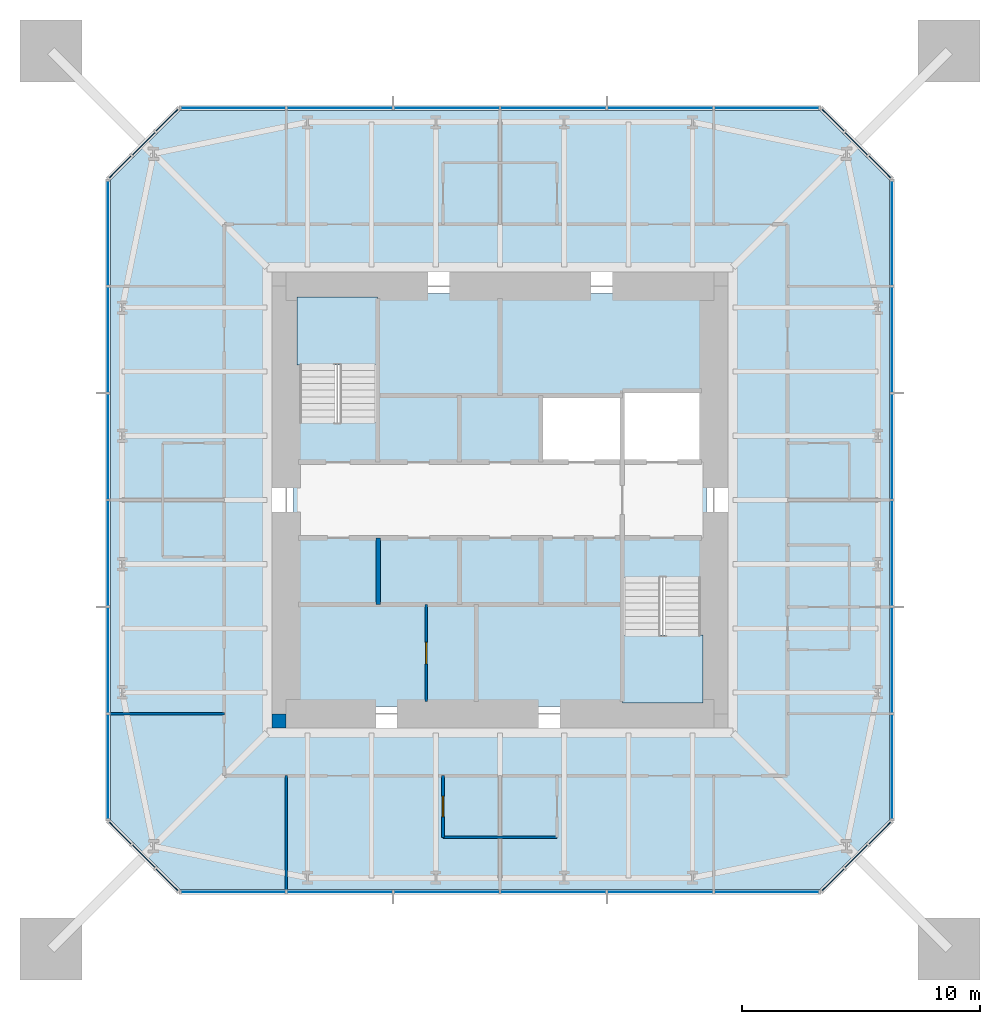
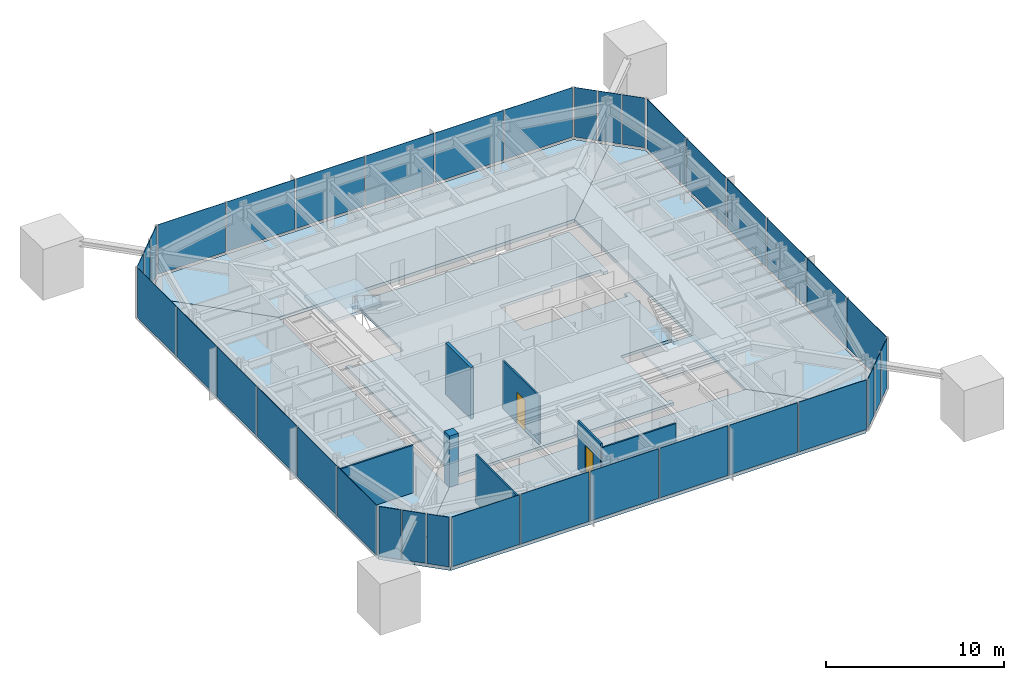
# One storey, part 5 of 9: 36 plates, 7 slabs, 7 walls, 2 doors, 2 openings, 10 elements without a shape of their own.
"""IFC4 building model written with IfcOpenShell, lengths in metres."""

from ifc_helpers import new_model, si_unit, direction, frame, frame_2d, origin, origin_2d, place, context, subcontext, project, spatial, polyline, rectangle, outline, extrude, material, layer, layer_set, constituent, constituent_set, type_object, element, fill, aggregate, save


model = new_model("IFC4")

# Units and contexts
model_context = context("Model", 3, precision=1e-05, world=origin(), true_north=direction((0.0, 1.0)))
body_context = subcontext(model_context, "Body", "Model", "MODEL_VIEW")
ifc_project = project(units=[si_unit("LENGTHUNIT", "METRE"), si_unit("AREAUNIT", "SQUARE_METRE"), si_unit("VOLUMEUNIT", "CUBIC_METRE"), si_unit("PLANEANGLEUNIT", "RADIAN"), si_unit("MASSUNIT", "GRAM", prefix="KILO")], contexts=[model_context])

# Site, building, storey
site_placement = place(None, origin())
site = spatial("IfcSite", under=ifc_project, at=site_placement, CompositionType="ELEMENT")
building_placement = place(site_placement, origin())
building = spatial("IfcBuilding", under=site, at=building_placement, Name="Iwan Alto Co-Living Towers", CompositionType="ELEMENT")
storey_placement = place(building_placement, frame((0.0, 0.0, 250.0)))
storey = spatial("IfcBuildingStorey", under=building, at=storey_placement, Name="L68", CompositionType="ELEMENT", Elevation=250.0)

# Slab
ifc_material_1 = material(Name="Concrete f'c 30 MPa", Category="concrete")
ifc_layer_1 = layer(ifc_material_1, 0.199951171875)
ifc_layer_set_1 = layer_set([ifc_layer_1], Name="CORE FLOOR SLAB 200")
slab_type_1 = type_object("IfcSlabType", Name="CORE FLOOR SLAB 200", PredefinedType="FLOOR", material=ifc_layer_set_1)
slab_1_placement = place(storey_placement, frame((0.0, 0.0, -0.199951171875)))
element("IfcSlab", 1, at=slab_1_placement, inside=storey, type_object=slab_type_1, Name="T1 core floor L68", PredefinedType="FLOOR", context=body_context, shape_type="SweptSolid", body=[
    extrude(outline(polyline([(-8.699951171875, 3.580078125), (-8.39990234375, 3.580078125), (-8.39990234375, 3.27001953125), (-5.14990234375, 3.27001953125), (-5.14990234375, 8.39990234375), (-5.4599609375, 8.39990234375), (-5.4599609375, 8.699951171875), (8.699951171875, 8.699951171875), (8.699951171875, 4.2900390625), (8.39990234375, 4.2900390625), (8.39990234375, 4.60009765625), (5.14990234375, 4.60009765625), (5.14990234375, 4.39990234375), (1.717041015625, 4.39990234375), (1.717041015625, 1.60009765625), (5.14990234375, 1.60009765625), (8.39990234375, 1.60009765625), (8.39990234375, 1.909912109375), (8.699951171875, 1.909912109375), (8.699951171875, -3.580078125), (8.39990234375, -3.580078125), (8.39990234375, -3.27001953125), (5.14990234375, -3.27001953125), (5.14990234375, -8.39990234375), (5.4599609375, -8.39990234375), (5.4599609375, -8.699951171875), (-8.699951171875, -8.699951171875), (-8.699951171875, 3.580078125)])), origin(), (0.0, 0.0, 1.0), 0.199951171875),
])

# Curtain wall, plates
ifc_material_2 = material(Name="Bronze aluminium unitised frame", Category="aluminium")
curtain_wall_type_1 = type_object("IfcCurtainWallType", Name="CURTAIN WALL CW-A", PredefinedType="NOTDEFINED", material=ifc_material_2)
curtain_wall_1_placement = place(storey_placement, origin())
curtain_wall_1 = element("IfcCurtainWall", 2, at=curtain_wall_1_placement, inside=storey, type_object=curtain_wall_type_1, Name="T1 curtain wall S L68", PredefinedType="NOTDEFINED")
ifc_material_3 = material(Name="Bronze-tinted insulating glass", Category="glass")
ifc_layer_2 = layer(ifc_material_3, 0.031982421875)
ifc_layer_set_2 = layer_set([ifc_layer_2], Name="CW-A PANEL TINTED IGU 32")
plate_type_1 = type_object("IfcPlateType", Name="CW-A PANEL TINTED IGU 32", PredefinedType="CURTAIN_PANEL", material=ifc_layer_set_2)
plate_1_placement = place(storey_placement, frame((-11.22998046875, -16.5, 0.10009765625), z_axis=(0.0, 0.0, 1.0), x_axis=(1.0, 0.0, 0.0)))
plate_1 = element("IfcPlate", 3, at=plate_1_placement, type_object=plate_type_1, Name="CW-A panel 1.1", PredefinedType="CURTAIN_PANEL", context=body_context, shape_type="SweptSolid", body=[
    extrude(rectangle(XDim=4.3798828125, YDim=0.031982421875, at=origin_2d()), origin(), (0.0, 0.0, 1.0), 3.39990234375),
])
plate_2_placement = place(storey_placement, frame((-6.75, -16.5, 0.10009765625), z_axis=(0.0, 0.0, 1.0), x_axis=(1.0, 0.0, 0.0)))
plate_2 = element("IfcPlate", 4, at=plate_2_placement, type_object=plate_type_1, Name="CW-A panel 2.1", PredefinedType="CURTAIN_PANEL", context=body_context, shape_type="SweptSolid", body=[
    extrude(rectangle(XDim=4.419921875, YDim=0.031982421875, at=origin_2d()), origin(), (0.0, 0.0, 1.0), 3.39990234375),
])
plate_3_placement = place(storey_placement, frame((-2.25, -16.5, 0.10009765625), z_axis=(0.0, 0.0, 1.0), x_axis=(1.0, 0.0, 0.0)))
plate_3 = element("IfcPlate", 5, at=plate_3_placement, type_object=plate_type_1, Name="CW-A panel 3.1", PredefinedType="CURTAIN_PANEL", context=body_context, shape_type="SweptSolid", body=[
    extrude(rectangle(XDim=4.419921875, YDim=0.031982421875, at=origin_2d()), origin(), (0.0, 0.0, 1.0), 3.39990234375),
])
plate_4_placement = place(storey_placement, frame((2.25, -16.5, 0.10009765625), z_axis=(0.0, 0.0, 1.0), x_axis=(1.0, 0.0, 0.0)))
plate_4 = element("IfcPlate", 6, at=plate_4_placement, type_object=plate_type_1, Name="CW-A panel 4.1", PredefinedType="CURTAIN_PANEL", context=body_context, shape_type="SweptSolid", body=[
    extrude(rectangle(XDim=4.419921875, YDim=0.031982421875, at=origin_2d()), origin(), (0.0, 0.0, 1.0), 3.39990234375),
])
plate_5_placement = place(storey_placement, frame((6.75, -16.5, 0.10009765625), z_axis=(0.0, 0.0, 1.0), x_axis=(1.0, 0.0, 0.0)))
plate_5 = element("IfcPlate", 7, at=plate_5_placement, type_object=plate_type_1, Name="CW-A panel 5.1", PredefinedType="CURTAIN_PANEL", context=body_context, shape_type="SweptSolid", body=[
    extrude(rectangle(XDim=4.419921875, YDim=0.031982421875, at=origin_2d()), origin(), (0.0, 0.0, 1.0), 3.39990234375),
])
plate_6_placement = place(storey_placement, frame((11.22998046875, -16.5, 0.10009765625), z_axis=(0.0, 0.0, 1.0), x_axis=(1.0, 0.0, 0.0)))
plate_6 = element("IfcPlate", 8, at=plate_6_placement, type_object=plate_type_1, Name="CW-A panel 6.1", PredefinedType="CURTAIN_PANEL", context=body_context, shape_type="SweptSolid", body=[
    extrude(rectangle(XDim=4.3798828125, YDim=0.031982421875, at=origin_2d()), origin(), (0.0, 0.0, 1.0), 3.39990234375),
])
aggregate(curtain_wall_1, [plate_1, plate_2, plate_3, plate_4, plate_5, plate_6])

curtain_wall_2_placement = place(storey_placement, origin())
curtain_wall_2 = element("IfcCurtainWall", 9, at=curtain_wall_2_placement, inside=storey, type_object=curtain_wall_type_1, Name="T1 curtain wall E L68", PredefinedType="NOTDEFINED")
plate_7_placement = place(storey_placement, frame((16.5, -11.22998046875, 0.10009765625), z_axis=(0.0, 0.0, 1.0), x_axis=(0.0, 1.0, 0.0)))
plate_7 = element("IfcPlate", 10, at=plate_7_placement, type_object=plate_type_1, Name="CW-A panel 1.1", PredefinedType="CURTAIN_PANEL", context=body_context, shape_type="SweptSolid", body=[
    extrude(rectangle(XDim=4.3798828125, YDim=0.031982421875, at=origin_2d()), origin(), (0.0, 0.0, 1.0), 3.39990234375),
])
plate_8_placement = place(storey_placement, frame((16.5, -6.75, 0.10009765625), z_axis=(0.0, 0.0, 1.0), x_axis=(0.0, 1.0, 0.0)))
plate_8 = element("IfcPlate", 11, at=plate_8_placement, type_object=plate_type_1, Name="CW-A panel 2.1", PredefinedType="CURTAIN_PANEL", context=body_context, shape_type="SweptSolid", body=[
    extrude(rectangle(XDim=4.419921875, YDim=0.031982421875, at=origin_2d()), origin(), (0.0, 0.0, 1.0), 3.39990234375),
])
plate_9_placement = place(storey_placement, frame((16.5, -2.25, 0.10009765625), z_axis=(0.0, 0.0, 1.0), x_axis=(0.0, 1.0, 0.0)))
plate_9 = element("IfcPlate", 12, at=plate_9_placement, type_object=plate_type_1, Name="CW-A panel 3.1", PredefinedType="CURTAIN_PANEL", context=body_context, shape_type="SweptSolid", body=[
    extrude(rectangle(XDim=4.419921875, YDim=0.031982421875, at=origin_2d()), origin(), (0.0, 0.0, 1.0), 3.39990234375),
])
plate_10_placement = place(storey_placement, frame((16.5, 2.25, 0.10009765625), z_axis=(0.0, 0.0, 1.0), x_axis=(0.0, 1.0, 0.0)))
plate_10 = element("IfcPlate", 13, at=plate_10_placement, type_object=plate_type_1, Name="CW-A panel 4.1", PredefinedType="CURTAIN_PANEL", context=body_context, shape_type="SweptSolid", body=[
    extrude(rectangle(XDim=4.419921875, YDim=0.031982421875, at=origin_2d()), origin(), (0.0, 0.0, 1.0), 3.39990234375),
])
plate_11_placement = place(storey_placement, frame((16.5, 6.75, 0.10009765625), z_axis=(0.0, 0.0, 1.0), x_axis=(0.0, 1.0, 0.0)))
plate_11 = element("IfcPlate", 14, at=plate_11_placement, type_object=plate_type_1, Name="CW-A panel 5.1", PredefinedType="CURTAIN_PANEL", context=body_context, shape_type="SweptSolid", body=[
    extrude(rectangle(XDim=4.419921875, YDim=0.031982421875, at=origin_2d()), origin(), (0.0, 0.0, 1.0), 3.39990234375),
])
plate_12_placement = place(storey_placement, frame((16.5, 11.22998046875, 0.10009765625), z_axis=(0.0, 0.0, 1.0), x_axis=(0.0, 1.0, 0.0)))
plate_12 = element("IfcPlate", 15, at=plate_12_placement, type_object=plate_type_1, Name="CW-A panel 6.1", PredefinedType="CURTAIN_PANEL", context=body_context, shape_type="SweptSolid", body=[
    extrude(rectangle(XDim=4.3798828125, YDim=0.031982421875, at=origin_2d()), origin(), (0.0, 0.0, 1.0), 3.39990234375),
])
aggregate(curtain_wall_2, [plate_7, plate_8, plate_9, plate_10, plate_11, plate_12])

curtain_wall_3_placement = place(storey_placement, origin())
curtain_wall_3 = element("IfcCurtainWall", 16, at=curtain_wall_3_placement, inside=storey, type_object=curtain_wall_type_1, Name="T1 curtain wall N L68", PredefinedType="NOTDEFINED")
plate_13_placement = place(storey_placement, frame((11.22998046875, 16.5, 0.10009765625), z_axis=(0.0, 0.0, 1.0), x_axis=(-1.0, 0.0, 0.0)))
plate_13 = element("IfcPlate", 17, at=plate_13_placement, type_object=plate_type_1, Name="CW-A panel 1.1", PredefinedType="CURTAIN_PANEL", context=body_context, shape_type="SweptSolid", body=[
    extrude(rectangle(XDim=4.3798828125, YDim=0.031982421875, at=origin_2d()), origin(), (0.0, 0.0, 1.0), 3.39990234375),
])
plate_14_placement = place(storey_placement, frame((6.75, 16.5, 0.10009765625), z_axis=(0.0, 0.0, 1.0), x_axis=(-1.0, 0.0, 0.0)))
plate_14 = element("IfcPlate", 18, at=plate_14_placement, type_object=plate_type_1, Name="CW-A panel 2.1", PredefinedType="CURTAIN_PANEL", context=body_context, shape_type="SweptSolid", body=[
    extrude(rectangle(XDim=4.419921875, YDim=0.031982421875, at=origin_2d()), origin(), (0.0, 0.0, 1.0), 3.39990234375),
])
plate_15_placement = place(storey_placement, frame((2.25, 16.5, 0.10009765625), z_axis=(0.0, 0.0, 1.0), x_axis=(-1.0, 0.0, 0.0)))
plate_15 = element("IfcPlate", 19, at=plate_15_placement, type_object=plate_type_1, Name="CW-A panel 3.1", PredefinedType="CURTAIN_PANEL", context=body_context, shape_type="SweptSolid", body=[
    extrude(rectangle(XDim=4.419921875, YDim=0.031982421875, at=origin_2d()), origin(), (0.0, 0.0, 1.0), 3.39990234375),
])
plate_16_placement = place(storey_placement, frame((-2.25, 16.5, 0.10009765625), z_axis=(0.0, 0.0, 1.0), x_axis=(-1.0, 0.0, 0.0)))
plate_16 = element("IfcPlate", 20, at=plate_16_placement, type_object=plate_type_1, Name="CW-A panel 4.1", PredefinedType="CURTAIN_PANEL", context=body_context, shape_type="SweptSolid", body=[
    extrude(rectangle(XDim=4.419921875, YDim=0.031982421875, at=origin_2d()), origin(), (0.0, 0.0, 1.0), 3.39990234375),
])
plate_17_placement = place(storey_placement, frame((-6.75, 16.5, 0.10009765625), z_axis=(0.0, 0.0, 1.0), x_axis=(-1.0, 0.0, 0.0)))
plate_17 = element("IfcPlate", 21, at=plate_17_placement, type_object=plate_type_1, Name="CW-A panel 5.1", PredefinedType="CURTAIN_PANEL", context=body_context, shape_type="SweptSolid", body=[
    extrude(rectangle(XDim=4.419921875, YDim=0.031982421875, at=origin_2d()), origin(), (0.0, 0.0, 1.0), 3.39990234375),
])
plate_18_placement = place(storey_placement, frame((-11.22998046875, 16.5, 0.10009765625), z_axis=(0.0, 0.0, 1.0), x_axis=(-1.0, 0.0, 0.0)))
plate_18 = element("IfcPlate", 22, at=plate_18_placement, type_object=plate_type_1, Name="CW-A panel 6.1", PredefinedType="CURTAIN_PANEL", context=body_context, shape_type="SweptSolid", body=[
    extrude(rectangle(XDim=4.3798828125, YDim=0.031982421875, at=origin_2d()), origin(), (0.0, 0.0, 1.0), 3.39990234375),
])
aggregate(curtain_wall_3, [plate_13, plate_14, plate_15, plate_16, plate_17, plate_18])

curtain_wall_4_placement = place(storey_placement, origin())
curtain_wall_4 = element("IfcCurtainWall", 23, at=curtain_wall_4_placement, inside=storey, type_object=curtain_wall_type_1, Name="T1 curtain wall W L68", PredefinedType="NOTDEFINED")
plate_19_placement = place(storey_placement, frame((-16.5, 11.22998046875, 0.10009765625), z_axis=(0.0, 0.0, 1.0), x_axis=(0.0, -1.0, 0.0)))
plate_19 = element("IfcPlate", 24, at=plate_19_placement, type_object=plate_type_1, Name="CW-A panel 1.1", PredefinedType="CURTAIN_PANEL", context=body_context, shape_type="SweptSolid", body=[
    extrude(rectangle(XDim=4.3798828125, YDim=0.031982421875, at=origin_2d()), origin(), (0.0, 0.0, 1.0), 3.39990234375),
])
plate_20_placement = place(storey_placement, frame((-16.5, 6.75, 0.10009765625), z_axis=(0.0, 0.0, 1.0), x_axis=(0.0, -1.0, 0.0)))
plate_20 = element("IfcPlate", 25, at=plate_20_placement, type_object=plate_type_1, Name="CW-A panel 2.1", PredefinedType="CURTAIN_PANEL", context=body_context, shape_type="SweptSolid", body=[
    extrude(rectangle(XDim=4.419921875, YDim=0.031982421875, at=origin_2d()), origin(), (0.0, 0.0, 1.0), 3.39990234375),
])
plate_21_placement = place(storey_placement, frame((-16.5, 2.25, 0.10009765625), z_axis=(0.0, 0.0, 1.0), x_axis=(0.0, -1.0, 0.0)))
plate_21 = element("IfcPlate", 26, at=plate_21_placement, type_object=plate_type_1, Name="CW-A panel 3.1", PredefinedType="CURTAIN_PANEL", context=body_context, shape_type="SweptSolid", body=[
    extrude(rectangle(XDim=4.419921875, YDim=0.031982421875, at=origin_2d()), origin(), (0.0, 0.0, 1.0), 3.39990234375),
])
plate_22_placement = place(storey_placement, frame((-16.5, -2.25, 0.10009765625), z_axis=(0.0, 0.0, 1.0), x_axis=(0.0, -1.0, 0.0)))
plate_22 = element("IfcPlate", 27, at=plate_22_placement, type_object=plate_type_1, Name="CW-A panel 4.1", PredefinedType="CURTAIN_PANEL", context=body_context, shape_type="SweptSolid", body=[
    extrude(rectangle(XDim=4.419921875, YDim=0.031982421875, at=origin_2d()), origin(), (0.0, 0.0, 1.0), 3.39990234375),
])
plate_23_placement = place(storey_placement, frame((-16.5, -6.75, 0.10009765625), z_axis=(0.0, 0.0, 1.0), x_axis=(0.0, -1.0, 0.0)))
plate_23 = element("IfcPlate", 28, at=plate_23_placement, type_object=plate_type_1, Name="CW-A panel 5.1", PredefinedType="CURTAIN_PANEL", context=body_context, shape_type="SweptSolid", body=[
    extrude(rectangle(XDim=4.419921875, YDim=0.031982421875, at=origin_2d()), origin(), (0.0, 0.0, 1.0), 3.39990234375),
])
plate_24_placement = place(storey_placement, frame((-16.5, -11.22998046875, 0.10009765625), z_axis=(0.0, 0.0, 1.0), x_axis=(0.0, -1.0, 0.0)))
plate_24 = element("IfcPlate", 29, at=plate_24_placement, type_object=plate_type_1, Name="CW-A panel 6.1", PredefinedType="CURTAIN_PANEL", context=body_context, shape_type="SweptSolid", body=[
    extrude(rectangle(XDim=4.3798828125, YDim=0.031982421875, at=origin_2d()), origin(), (0.0, 0.0, 1.0), 3.39990234375),
])
aggregate(curtain_wall_4, [plate_19, plate_20, plate_21, plate_22, plate_23, plate_24])

ifc_material_4 = material(Name="Bronze aluminium unitised frame", Category="aluminium")
curtain_wall_type_2 = type_object("IfcCurtainWallType", Name="CURTAIN WALL CW-B", PredefinedType="NOTDEFINED", material=ifc_material_4)
curtain_wall_5_placement = place(storey_placement, origin())
curtain_wall_5 = element("IfcCurtainWall", 30, at=curtain_wall_5_placement, inside=storey, type_object=curtain_wall_type_2, Name="T1 chamfer curtain wall SE L68", PredefinedType="NOTDEFINED")
ifc_material_5 = material(Name="Bronze-tinted insulating glass", Category="glass")
ifc_layer_3 = layer(ifc_material_5, 0.031982421875)
ifc_layer_set_3 = layer_set([ifc_layer_3], Name="CW-B PANEL TINTED IGU 32")
plate_type_2 = type_object("IfcPlateType", Name="CW-B PANEL TINTED IGU 32", PredefinedType="CURTAIN_PANEL", material=ifc_layer_set_3)
plate_25_placement = place(storey_placement, frame((14.01416015625, -15.98583984375, 0.10009765625), z_axis=(0.0, 0.0, 1.0), x_axis=(0.707106781187, 0.707106781187, 0.0)))
plate_25 = element("IfcPlate", 31, at=plate_25_placement, type_object=plate_type_2, Name="CW-B panel 1.1", PredefinedType="CURTAIN_PANEL", context=body_context, shape_type="SweptSolid", body=[
    extrude(rectangle(XDim=1.294189453125, YDim=0.031982421875, at=origin_2d()), origin(), (0.0, 0.0, 1.0), 3.39990234375),
])
plate_26_placement = place(storey_placement, frame((15.0, -15.0, 0.10009765625), z_axis=(0.0, 0.0, 1.0), x_axis=(0.707106781187, 0.707106781187, 0.0)))
plate_26 = element("IfcPlate", 32, at=plate_26_placement, type_object=plate_type_2, Name="CW-B panel 2.1", PredefinedType="CURTAIN_PANEL", context=body_context, shape_type="SweptSolid", body=[
    extrude(rectangle(XDim=1.334228515625, YDim=0.031982421875, at=origin_2d()), origin(), (0.0, 0.0, 1.0), 3.39990234375),
])
plate_27_placement = place(storey_placement, frame((15.98583984375, -14.01416015625, 0.10009765625), z_axis=(0.0, 0.0, 1.0), x_axis=(0.707106781187, 0.707106781187, 0.0)))
plate_27 = element("IfcPlate", 33, at=plate_27_placement, type_object=plate_type_2, Name="CW-B panel 3.1", PredefinedType="CURTAIN_PANEL", context=body_context, shape_type="SweptSolid", body=[
    extrude(rectangle(XDim=1.294189453125, YDim=0.031982421875, at=origin_2d()), origin(), (0.0, 0.0, 1.0), 3.39990234375),
])
aggregate(curtain_wall_5, [plate_25, plate_26, plate_27])

curtain_wall_6_placement = place(storey_placement, origin())
curtain_wall_6 = element("IfcCurtainWall", 34, at=curtain_wall_6_placement, inside=storey, type_object=curtain_wall_type_2, Name="T1 chamfer curtain wall NE L68", PredefinedType="NOTDEFINED")
plate_28_placement = place(storey_placement, frame((15.98583984375, 14.01416015625, 0.10009765625), z_axis=(0.0, 0.0, 1.0), x_axis=(-0.707106781187, 0.707106781187, 0.0)))
plate_28 = element("IfcPlate", 35, at=plate_28_placement, type_object=plate_type_2, Name="CW-B panel 1.1", PredefinedType="CURTAIN_PANEL", context=body_context, shape_type="SweptSolid", body=[
    extrude(rectangle(XDim=1.294189453125, YDim=0.031982421875, at=origin_2d()), origin(), (0.0, 0.0, 1.0), 3.39990234375),
])
plate_29_placement = place(storey_placement, frame((15.0, 15.0, 0.10009765625), z_axis=(0.0, 0.0, 1.0), x_axis=(-0.707106781187, 0.707106781187, 0.0)))
plate_29 = element("IfcPlate", 36, at=plate_29_placement, type_object=plate_type_2, Name="CW-B panel 2.1", PredefinedType="CURTAIN_PANEL", context=body_context, shape_type="SweptSolid", body=[
    extrude(rectangle(XDim=1.334228515625, YDim=0.031982421875, at=origin_2d()), origin(), (0.0, 0.0, 1.0), 3.39990234375),
])
plate_30_placement = place(storey_placement, frame((14.01416015625, 15.98583984375, 0.10009765625), z_axis=(0.0, 0.0, 1.0), x_axis=(-0.707106781187, 0.707106781187, 0.0)))
plate_30 = element("IfcPlate", 37, at=plate_30_placement, type_object=plate_type_2, Name="CW-B panel 3.1", PredefinedType="CURTAIN_PANEL", context=body_context, shape_type="SweptSolid", body=[
    extrude(rectangle(XDim=1.294189453125, YDim=0.031982421875, at=origin_2d()), origin(), (0.0, 0.0, 1.0), 3.39990234375),
])
aggregate(curtain_wall_6, [plate_28, plate_29, plate_30])

curtain_wall_7_placement = place(storey_placement, origin())
curtain_wall_7 = element("IfcCurtainWall", 38, at=curtain_wall_7_placement, inside=storey, type_object=curtain_wall_type_2, Name="T1 chamfer curtain wall NW L68", PredefinedType="NOTDEFINED")
plate_31_placement = place(storey_placement, frame((-14.01416015625, 15.98583984375, 0.10009765625), z_axis=(0.0, 0.0, 1.0), x_axis=(-0.707106781187, -0.707106781187, 0.0)))
plate_31 = element("IfcPlate", 39, at=plate_31_placement, type_object=plate_type_2, Name="CW-B panel 1.1", PredefinedType="CURTAIN_PANEL", context=body_context, shape_type="SweptSolid", body=[
    extrude(rectangle(XDim=1.294189453125, YDim=0.031982421875, at=origin_2d()), origin(), (0.0, 0.0, 1.0), 3.39990234375),
])
plate_32_placement = place(storey_placement, frame((-15.0, 15.0, 0.10009765625), z_axis=(0.0, 0.0, 1.0), x_axis=(-0.707106781187, -0.707106781187, 0.0)))
plate_32 = element("IfcPlate", 40, at=plate_32_placement, type_object=plate_type_2, Name="CW-B panel 2.1", PredefinedType="CURTAIN_PANEL", context=body_context, shape_type="SweptSolid", body=[
    extrude(rectangle(XDim=1.334228515625, YDim=0.031982421875, at=origin_2d()), origin(), (0.0, 0.0, 1.0), 3.39990234375),
])
plate_33_placement = place(storey_placement, frame((-15.98583984375, 14.01416015625, 0.10009765625), z_axis=(0.0, 0.0, 1.0), x_axis=(-0.707106781187, -0.707106781187, 0.0)))
plate_33 = element("IfcPlate", 41, at=plate_33_placement, type_object=plate_type_2, Name="CW-B panel 3.1", PredefinedType="CURTAIN_PANEL", context=body_context, shape_type="SweptSolid", body=[
    extrude(rectangle(XDim=1.294189453125, YDim=0.031982421875, at=origin_2d()), origin(), (0.0, 0.0, 1.0), 3.39990234375),
])
aggregate(curtain_wall_7, [plate_31, plate_32, plate_33])

curtain_wall_8_placement = place(storey_placement, origin())
curtain_wall_8 = element("IfcCurtainWall", 42, at=curtain_wall_8_placement, inside=storey, type_object=curtain_wall_type_2, Name="T1 chamfer curtain wall SW L68", PredefinedType="NOTDEFINED")
plate_34_placement = place(storey_placement, frame((-15.98583984375, -14.01416015625, 0.10009765625), z_axis=(0.0, 0.0, 1.0), x_axis=(0.707106781187, -0.707106781187, 0.0)))
plate_34 = element("IfcPlate", 43, at=plate_34_placement, type_object=plate_type_2, Name="CW-B panel 1.1", PredefinedType="CURTAIN_PANEL", context=body_context, shape_type="SweptSolid", body=[
    extrude(rectangle(XDim=1.294189453125, YDim=0.031982421875, at=origin_2d()), origin(), (0.0, 0.0, 1.0), 3.39990234375),
])
plate_35_placement = place(storey_placement, frame((-15.0, -15.0, 0.10009765625), z_axis=(0.0, 0.0, 1.0), x_axis=(0.707106781187, -0.707106781187, 0.0)))
plate_35 = element("IfcPlate", 44, at=plate_35_placement, type_object=plate_type_2, Name="CW-B panel 2.1", PredefinedType="CURTAIN_PANEL", context=body_context, shape_type="SweptSolid", body=[
    extrude(rectangle(XDim=1.334228515625, YDim=0.031982421875, at=origin_2d()), origin(), (0.0, 0.0, 1.0), 3.39990234375),
])
plate_36_placement = place(storey_placement, frame((-14.01416015625, -15.98583984375, 0.10009765625), z_axis=(0.0, 0.0, 1.0), x_axis=(0.707106781187, -0.707106781187, 0.0)))
plate_36 = element("IfcPlate", 45, at=plate_36_placement, type_object=plate_type_2, Name="CW-B panel 3.1", PredefinedType="CURTAIN_PANEL", context=body_context, shape_type="SweptSolid", body=[
    extrude(rectangle(XDim=1.294189453125, YDim=0.031982421875, at=origin_2d()), origin(), (0.0, 0.0, 1.0), 3.39990234375),
])
aggregate(curtain_wall_8, [plate_34, plate_35, plate_36])

# Stair, slab
ifc_material_6 = material(Name="Steel ASTM A36", Category="steel")
ifc_constituent_1 = constituent(ifc_material_6, Name="Stringers", Category="LoadBearing")
ifc_material_7 = material(Name="Concrete f'c 30 MPa", Category="concrete")
ifc_constituent_2 = constituent(ifc_material_7, Name="Tread fill", Category="Finish")
ifc_constituent_set = constituent_set(constituents=[ifc_constituent_1, ifc_constituent_2], Name="STAIR 3500 TWO-FLIGHT T1 CORE")
stair_type = type_object("IfcStairType", Name="STAIR 3500 TWO-FLIGHT T1 CORE", PredefinedType="HALF_TURN_STAIR", material=ifc_constituent_set)
stair_1_placement = place(storey_placement, origin())
stair_1 = element("IfcStair", 46, at=stair_1_placement, inside=storey, type_object=stair_type, Name="Stair T1-S1 L68 to L69", PredefinedType="HALF_TURN_STAIR")
ifc_material_8 = material(Name="Concrete f'c 30 MPa", Category="concrete")
ifc_layer_4 = layer(ifc_material_8, 0.199951171875)
ifc_layer_set_4 = layer_set([ifc_layer_4], Name="STAIR LANDING 200")
slab_type_2 = type_object("IfcSlabType", Name="STAIR LANDING 200", PredefinedType="LANDING", material=ifc_layer_set_4)
slab_2_placement = place(storey_placement, frame((0.0, 0.0, 1.550048828125)))
slab_2 = element("IfcSlab", 47, at=slab_2_placement, type_object=slab_type_2, Name="T1-S1 landing 1", PredefinedType="LANDING", context=body_context, shape_type="SweptSolid", body=[
    extrude(outline(polyline([(-8.550048828125, 5.68994140625), (-8.550048828125, 8.550048828125), (-5.14990234375, 8.550048828125), (-5.14990234375, 5.68994140625), (-8.550048828125, 5.68994140625)])), origin(), (0.0, 0.0, 1.0), 0.199951171875),
])
aggregate(stair_1, [slab_2])

stair_2_placement = place(storey_placement, origin())
stair_2 = element("IfcStair", 48, at=stair_2_placement, inside=storey, type_object=stair_type, Name="Stair T1-S2 L68 to L69", PredefinedType="HALF_TURN_STAIR")
slab_3_placement = place(storey_placement, frame((0.0, 0.0, 1.550048828125)))
slab_3 = element("IfcSlab", 49, at=slab_3_placement, type_object=slab_type_2, Name="T1-S2 landing 1", PredefinedType="LANDING", context=body_context, shape_type="SweptSolid", body=[
    extrude(outline(polyline([(5.14990234375, -5.68994140625), (5.14990234375, -8.550048828125), (8.550048828125, -8.550048828125), (8.550048828125, -5.68994140625), (5.14990234375, -5.68994140625)])), origin(), (0.0, 0.0, 1.0), 0.199951171875),
])
aggregate(stair_2, [slab_3])

# Slabs
ifc_material_9 = material(Name="Concrete f'c 30 MPa", Category="concrete")
ifc_layer_5 = layer(ifc_material_9, 0.22998046875)
ifc_layer_set_5 = layer_set([ifc_layer_5], Name="T1 FLOOR SLAB 230")
slab_type_3 = type_object("IfcSlabType", Name="T1 FLOOR SLAB 230", PredefinedType="FLOOR", material=ifc_layer_set_5)
slab_4_placement = place(storey_placement, frame((0.0, 0.0, -0.22998046875)))
element("IfcSlab", 50, at=slab_4_placement, inside=storey, type_object=slab_type_3, Name="T1 floor slab L68 S pour", PredefinedType="FLOOR", context=body_context, shape_type="SweptSolid", body=[
    extrude(outline(polyline([(13.44140625, -16.39990234375), (-13.44140625, -16.39990234375), (-14.920654296875, -14.920654296875), (-9.60009765625, -9.60009765625), (9.60009765625, -9.60009765625), (14.920654296875, -14.920654296875), (13.44140625, -16.39990234375)])), origin(), (0.0, 0.0, 1.0), 0.22998046875),
])
slab_5_placement = place(storey_placement, frame((0.0, 0.0, -0.22998046875)))
element("IfcSlab", 51, at=slab_5_placement, inside=storey, type_object=slab_type_3, Name="T1 floor slab L68 E pour", PredefinedType="FLOOR", context=body_context, shape_type="SweptSolid", body=[
    extrude(outline(polyline([(16.39990234375, 13.44140625), (16.39990234375, -13.44140625), (14.920654296875, -14.920654296875), (9.60009765625, -9.60009765625), (9.60009765625, 9.60009765625), (14.920654296875, 14.920654296875), (16.39990234375, 13.44140625)])), origin(), (0.0, 0.0, 1.0), 0.22998046875),
])
slab_6_placement = place(storey_placement, frame((0.0, 0.0, -0.22998046875)))
element("IfcSlab", 52, at=slab_6_placement, inside=storey, type_object=slab_type_3, Name="T1 floor slab L68 N pour", PredefinedType="FLOOR", context=body_context, shape_type="SweptSolid", body=[
    extrude(outline(polyline([(-13.44140625, 16.39990234375), (13.44140625, 16.39990234375), (14.920654296875, 14.920654296875), (9.60009765625, 9.60009765625), (-9.60009765625, 9.60009765625), (-14.920654296875, 14.920654296875), (-13.44140625, 16.39990234375)])), origin(), (0.0, 0.0, 1.0), 0.22998046875),
])
slab_7_placement = place(storey_placement, frame((0.0, 0.0, -0.22998046875)))
element("IfcSlab", 53, at=slab_7_placement, inside=storey, type_object=slab_type_3, Name="T1 floor slab L68 W pour", PredefinedType="FLOOR", context=body_context, shape_type="SweptSolid", body=[
    extrude(outline(polyline([(-16.39990234375, 13.44140625), (-14.920654296875, 14.920654296875), (-9.60009765625, 9.60009765625), (-9.60009765625, -9.60009765625), (-14.920654296875, -14.920654296875), (-16.39990234375, -13.44140625), (-16.39990234375, 13.44140625)])), origin(), (0.0, 0.0, 1.0), 0.22998046875),
])

# Walls
ifc_material_10 = material(Name="Gypsum board")
ifc_layer_6 = layer(ifc_material_10, 0.012451171875, Name="Board", Category="Finish")
ifc_material_11 = material(Name="Steel ASTM A1003 ST33H cold-formed studs", Category="steel")
ifc_layer_7 = layer(ifc_material_11, 0.074951171875, Name="Studs", Category="Framing")
ifc_layer_8 = layer(ifc_material_10, 0.012451171875, Name="Board", Category="Finish")
ifc_layer_set_6 = layer_set([ifc_layer_6, ifc_layer_7, ifc_layer_8], Name="PARTITION 100")
wall_type_1 = type_object("IfcWallType", Name="PARTITION 100", PredefinedType="PARTITIONING", material=ifc_layer_set_6)
wall_1_placement = place(storey_placement, frame((-2.39990234375, -14.199951171875, 0.0), z_axis=(0.0, 0.0, 1.0), x_axis=(1.0, 0.0, 0.0)))
element("IfcWall", 54, at=wall_1_placement, inside=storey, type_object=wall_type_1, Name="Partition L68", PredefinedType="PARTITIONING", context=body_context, shape_type="SweptSolid", body=[
    extrude(rectangle(XDim=4.7998046875, YDim=0.10009765625, at=frame_2d((2.39990234375, 0.0))), origin(), (0.0, 0.0, 1.0), 3.0),
])
wall_2_placement = place(storey_placement, frame((-16.43994140625, -9.0, 0.0), z_axis=(0.0, 0.0, 1.0), x_axis=(1.0, 0.0, 0.0)))
element("IfcWall", 55, at=wall_2_placement, inside=storey, type_object=wall_type_1, Name="Partition L68", PredefinedType="PARTITIONING", context=body_context, shape_type="SweptSolid", body=[
    extrude(rectangle(XDim=4.83984375, YDim=0.10009765625, at=frame_2d((2.419921875, 0.0))), origin(), (0.0, 0.0, 1.0), 3.27001953125),
])

# Wall, opening, door
wall_3_placement = place(storey_placement, frame((-3.10009765625, -8.489990234375, 0.0), z_axis=(0.0, 0.0, 1.0), x_axis=(0.0, 1.0, 0.0)))
wall_3 = element("IfcWall", 56, at=wall_3_placement, inside=storey, type_object=wall_type_1, Name="Partition L68", PredefinedType="PARTITIONING", context=body_context, shape_type="SweptSolid", body=[
    extrude(rectangle(XDim=4.090087890625, YDim=0.10009765625, at=frame_2d((2.044921875, 0.0))), origin(), (0.0, 0.0, 1.0), 3.300048828125),
])
opening_1_placement = place(wall_3_placement, frame((1.594970703125, 0.0, 0.0)))
opening_1 = element("IfcOpeningElement", 57, at=opening_1_placement, cuts=wall_3, Name="Opening D16", PredefinedType="OPENING", context=body_context, shape_type="SweptSolid", body=[
    extrude(rectangle(XDim=0.89990234375, YDim=2.10009765625, at=frame_2d((0.449951171875, 1.050048828125))), frame((0.0, 0.06005859375, 0.0), z_axis=(0.0, -1.0, 0.0), x_axis=(1.0, 0.0, 0.0)), (0.0, 0.0, 1.0), 0.1201171875),
])
ifc_material_12 = material(Name="Timber leaf in steel frame", Category="steel")
door_type_1 = type_object("IfcDoorType", Name="CUPBOARD SLIDING DOOR 900X2100", OperationType="SLIDING_TO_LEFT", PredefinedType="DOOR", material=ifc_material_12)
door_1_placement = place(opening_1_placement, origin())
door_1 = element("IfcDoor", 58, at=door_1_placement, inside=storey, type_object=door_type_1, Name="Cleaner's store door L68", OperationType="SLIDING_TO_LEFT", OverallHeight=2.10009765625, OverallWidth=0.89990234375, PredefinedType="DOOR", context=body_context, shape_type="SweptSolid", body=[
    extrude(rectangle(XDim=0.89990234375, YDim=2.10009765625, at=frame_2d((0.449951171875, 1.050048828125))), frame((0.0, 0.02490234375, 0.0), z_axis=(0.0, -1.0, 0.0), x_axis=(1.0, 0.0, 0.0)), (0.0, 0.0, 1.0), 0.050048828125),
])
fill(opening_1, door_1)

# Walls
wall_4_placement = place(storey_placement, frame((-9.0, -16.43994140625, 0.0), z_axis=(0.0, 0.0, 1.0), x_axis=(0.0, 1.0, 0.0)))
element("IfcWall", 59, at=wall_4_placement, inside=storey, type_object=wall_type_1, Name="Partition L68", PredefinedType="PARTITIONING", context=body_context, shape_type="SweptSolid", body=[
    extrude(rectangle(XDim=4.83984375, YDim=0.10009765625, at=frame_2d((2.419921875, 0.0))), origin(), (0.0, 0.0, 1.0), 3.27001953125),
])
ifc_material_13 = material(Name="Concrete f'c 70 MPa", Category="concrete")
ifc_layer_9 = layer(ifc_material_13, 0.199951171875)
ifc_layer_set_7 = layer_set([ifc_layer_9], Name="SHAFT WALL 200")
wall_type_2 = type_object("IfcWallType", Name="SHAFT WALL 200", PredefinedType="SOLIDWALL", material=ifc_layer_set_7)
wall_5_placement = place(storey_placement, frame((-5.125, -4.39990234375, 0.0), z_axis=(0.0, 0.0, 1.0), x_axis=(0.0, 1.0, 0.0)))
element("IfcWall", 60, at=wall_5_placement, inside=storey, type_object=wall_type_2, Name="Shaft wall L68", PredefinedType="SOLIDWALL", context=body_context, shape_type="SweptSolid", body=[
    extrude(rectangle(XDim=2.7998046875, YDim=0.199951171875, at=frame_2d((1.39990234375, 0.0))), origin(), (0.0, 0.0, 1.0), 3.5),
])
ifc_material_14 = material(Name="Concrete f'c 70 MPa", Category="concrete")
ifc_layer_10 = layer(ifc_material_14, 0.60009765625)
ifc_layer_set_8 = layer_set([ifc_layer_10], Name="T1 CORE CORNER FILL 600")
wall_type_3 = type_object("IfcWallType", Name="T1 CORE CORNER FILL 600", PredefinedType="SOLIDWALL", material=ifc_layer_set_8)
wall_6_placement = place(storey_placement, frame((-9.60009765625, -9.300048828125, 0.0), z_axis=(0.0, 0.0, 1.0), x_axis=(1.0, 0.0, 0.0)))
element("IfcWall", 61, at=wall_6_placement, inside=storey, type_object=wall_type_3, Name="T1 core corner SW L68", PredefinedType="SOLIDWALL", context=body_context, shape_type="SweptSolid", body=[
    extrude(rectangle(XDim=0.60009765625, YDim=0.60009765625, at=frame_2d((0.300048828125, 0.0))), origin(), (0.0, 0.0, 1.0), 3.5),
])

# Wall, opening, door
ifc_material_15 = material(Name="Cement board")
ifc_layer_11 = layer(ifc_material_15, 0.012451171875, Name="Board", Category="Finish")
ifc_layer_12 = layer(ifc_material_11, 0.094970703125, Name="Studs", Category="Framing")
ifc_layer_13 = layer(ifc_material_15, 0.012451171875, Name="Board", Category="Finish")
ifc_layer_set_9 = layer_set([ifc_layer_11, ifc_layer_12, ifc_layer_13], Name="WET AREA PARTITION 120")
wall_type_4 = type_object("IfcWallType", Name="WET AREA PARTITION 120", PredefinedType="PARTITIONING", material=ifc_layer_set_9)
wall_7_placement = place(storey_placement, frame((-2.39990234375, -14.199951171875, 0.0), z_axis=(0.0, 0.0, 1.0), x_axis=(0.0, 1.0, 0.0)))
wall_7 = element("IfcWall", 62, at=wall_7_placement, inside=storey, type_object=wall_type_4, Name="Partition L68", PredefinedType="PARTITIONING", context=body_context, shape_type="SweptSolid", body=[
    extrude(rectangle(XDim=2.599853515625, YDim=0.1201171875, at=frame_2d((1.2998046875, 0.0))), origin(), (0.0, 0.0, 1.0), 3.27001953125),
])
opening_2_placement = place(wall_7_placement, frame((0.875, 0.0, 0.0)))
opening_2 = element("IfcOpeningElement", 63, at=opening_2_placement, cuts=wall_7, Name="Opening D2", PredefinedType="OPENING", context=body_context, shape_type="SweptSolid", body=[
    extrude(rectangle(XDim=0.85009765625, YDim=2.10009765625, at=frame_2d((0.425048828125, 1.050048828125))), frame((0.0, 0.070068359375, 0.0), z_axis=(0.0, -1.0, 0.0), x_axis=(1.0, 0.0, 0.0)), (0.0, 0.0, 1.0), 0.14013671875),
])
ifc_material_16 = material(Name="Timber leaf in steel frame", Category="steel")
door_type_2 = type_object("IfcDoorType", Name="ROOM DOOR 850X2100", OperationType="SINGLE_SWING_LEFT", PredefinedType="DOOR", material=ifc_material_16)
door_2_placement = place(opening_2_placement, origin())
door_2 = element("IfcDoor", 64, at=door_2_placement, inside=storey, type_object=door_type_2, Name="En-suite shower room door L68", OperationType="SINGLE_SWING_RIGHT", OverallHeight=2.10009765625, OverallWidth=0.85009765625, PredefinedType="DOOR", context=body_context, shape_type="SweptSolid", body=[
    extrude(rectangle(XDim=0.85009765625, YDim=2.10009765625, at=frame_2d((0.425048828125, 1.050048828125))), frame((0.0, 0.02490234375, 0.0), z_axis=(0.0, -1.0, 0.0), x_axis=(1.0, 0.0, 0.0)), (0.0, 0.0, 1.0), 0.050048828125),
])
fill(opening_2, door_2)

save(model, "model.ifc")
